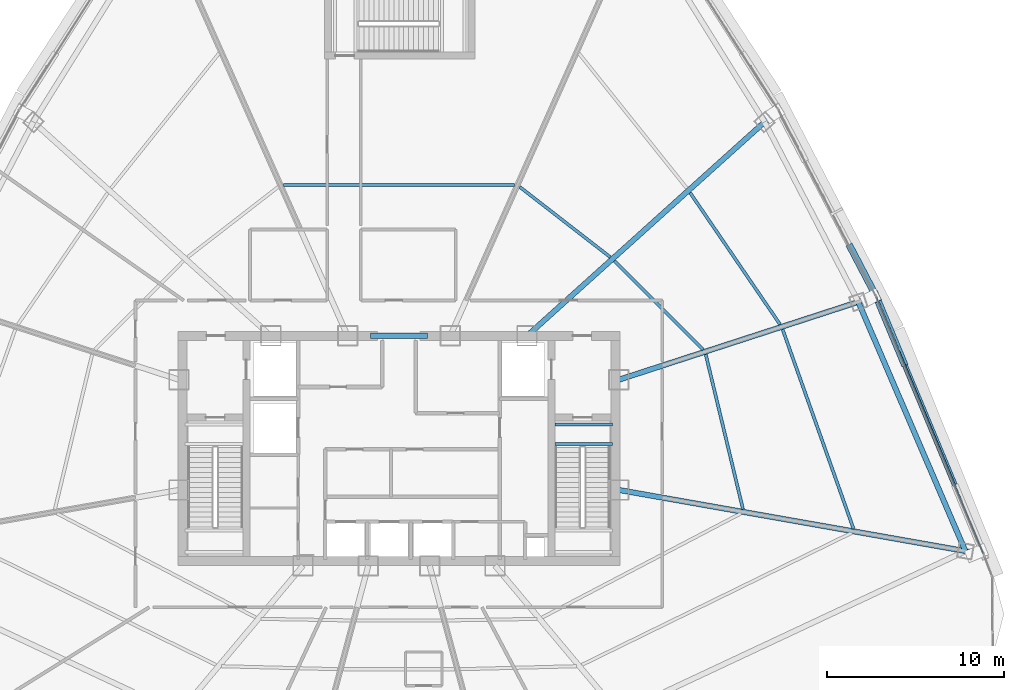
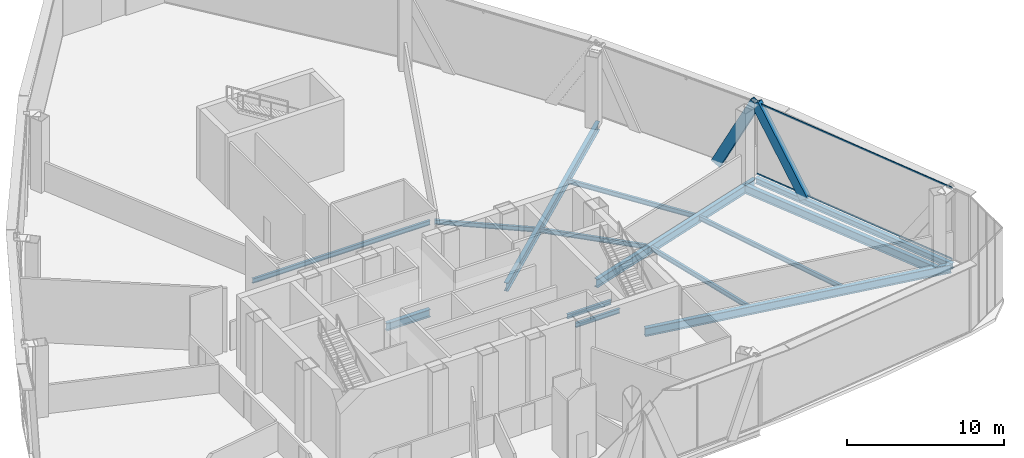
# One storey, part 15 of 38: 14 beams, 4 members, 1 element without a shape of its own.
"""IFC4 building model written with IfcOpenShell, lengths in metres."""

from ifc_helpers import new_model, si_unit, direction, frame, origin, origin_2d, place, context, subcontext, project, spatial, hollow_rectangle, i_section, extrude, source, transform, mapped, material, layer, layer_set, material_profile, profile_set, type_object, element, aggregate, save


model = new_model("IFC4")

# Units and contexts
model_context = context("Model", 3, precision=1e-05, world=origin(), true_north=direction((0.0, 1.0)))
body_context = subcontext(model_context, "Body", "Model", "MODEL_VIEW")
ifc_project = project(units=[si_unit("LENGTHUNIT", "METRE"), si_unit("AREAUNIT", "SQUARE_METRE"), si_unit("VOLUMEUNIT", "CUBIC_METRE"), si_unit("PLANEANGLEUNIT", "RADIAN"), si_unit("MASSUNIT", "GRAM", prefix="KILO"), si_unit("THERMODYNAMICTEMPERATUREUNIT", "KELVIN"), si_unit("POWERUNIT", "WATT")], contexts=[model_context])

# Site, building, storey
site_placement = place(None, origin())
site = spatial("IfcSite", under=ifc_project, at=site_placement, CompositionType="ELEMENT")
building_placement = place(site_placement, origin())
building = spatial("IfcBuilding", under=site, at=building_placement, Name="Yunzhuo Pagoda Commons", CompositionType="ELEMENT")
storey_placement = place(building_placement, frame((0.0, 0.0, 266.909912109375)))
storey = spatial("IfcBuildingStorey", under=building, at=storey_placement, Name="L67", CompositionType="ELEMENT", Elevation=266.909912109375)

# Beams
ifc_material_1 = material(Name="Structural steel Q355B", Category="steel")
ifc_material_profile_1 = material_profile(ifc_material_1, i_section(OverallWidth=0.175048828125, OverallDepth=0.35009765625, WebThickness=0.007080078125, FlangeThickness=0.010986328125, at=origin_2d()), Name="Structural steel Q355B")
ifc_profile_set_1 = profile_set([ifc_material_profile_1], Name="Structural steel Q355B")
beam_type_1 = type_object("IfcBeamType", Name="B-JS2 Joist HN 350x175x7x11", PredefinedType="JOIST", material=ifc_profile_set_1)
shared_shape_1 = source(origin(), body_context, "Body", "SweptSolid", [
    extrude(i_section(OverallWidth=0.175048828125, OverallDepth=0.35009765625, WebThickness=0.007080078125, FlangeThickness=0.010986328125, at=origin_2d()), origin(), (0.0, 0.0, 1.0), 3.25),
])
for number, where, z_axis, x_axis, name in (
    (1, (56.800048828125, 34.10009765625, -0.375), (1.0, 0.0, 0.0), (0.0, 1.0, 0.0), "L67 ST2 landing support beam 171A"),
    (2, (56.800048828125, 35.199951171875, -0.375), (1.0, 0.0, 0.0), (0.0, 1.0, 0.0), "L67 ST2 landing support beam 171B"),
):
    element("IfcBeam", number, at=place(storey_placement, frame(where, z_axis=z_axis, x_axis=x_axis)), inside=storey, type_object=beam_type_1, Name=name, PredefinedType="JOIST", context=body_context, shape_type="MappedRepresentation", body=[
        mapped(shared_shape_1, transform((0.0, 0.0, 0.0), scale=1.0)),
    ])
ifc_material_2 = material(Name="Structural steel Q420B", Category="steel")
ifc_material_profile_2 = material_profile(ifc_material_2, i_section(OverallWidth=0.300048828125, OverallDepth=0.587890625, WebThickness=0.011962890625, FlangeThickness=0.02001953125, at=origin_2d()), Name="Structural steel Q420B")
ifc_profile_set_2 = profile_set([ifc_material_profile_2], Name="Structural steel Q420B")
beam_type_2 = type_object("IfcBeamType", Name="B-CPL Beam HM 588x300x12x20", PredefinedType="BEAM", material=ifc_profile_set_2)
shared_shape_2 = source(origin(), body_context, "Body", "SweptSolid", [
    extrude(i_section(OverallWidth=0.300048828125, OverallDepth=0.587890625, WebThickness=0.011962890625, FlangeThickness=0.02001953125, at=origin_2d()), origin(), (0.0, 0.0, 1.0), 3.2001953125),
])
beam_1_placement = place(storey_placement, frame((46.39990234375, 40.199951171875, -0.553955078125), z_axis=(1.0, 0.0, 0.0), x_axis=(0.0, 1.0, 0.0)))
element("IfcBeam", 3, at=beam_1_placement, inside=storey, type_object=beam_type_2, Name="L67 core coupling girder", PredefinedType="BEAM", context=body_context, shape_type="MappedRepresentation", body=[
    mapped(shared_shape_2, transform((0.0, 0.0, 0.0), scale=1.0)),
])
ifc_material_profile_3 = material_profile(ifc_material_1, i_section(OverallWidth=0.300048828125, OverallDepth=0.64990234375, WebThickness=0.012939453125, FlangeThickness=0.02197265625, at=origin_2d()), Name="Structural steel Q355B")
ifc_profile_set_3 = profile_set([ifc_material_profile_3], Name="Structural steel Q355B")
beam_type_3 = type_object("IfcBeamType", Name="B-RG2 Beam HN 650x300x13x22", PredefinedType="BEAM", material=ifc_profile_set_3)
shared_shape_3 = source(origin(), body_context, "Body", "SweptSolid", [
    extrude(i_section(OverallWidth=0.300048828125, OverallDepth=0.64990234375, WebThickness=0.012939453125, FlangeThickness=0.02197265625, at=origin_2d()), origin(), (0.0, 0.0, 1.0), 15.28759765625),
])
beam_2_placement = place(storey_placement, frame((79.93408203125, 28.069091796875, -0.5849609375), z_axis=(-0.394788372839, 0.918772083093, 0.0), x_axis=(-0.918772083093, -0.394788372839, 0.0)))
element("IfcBeam", 4, at=beam_2_placement, inside=storey, type_object=beam_type_3, Name="L67 column-ring beam 5", PredefinedType="BEAM", context=body_context, shape_type="MappedRepresentation", body=[
    mapped(shared_shape_3, transform((0.0, 0.0, 0.0), scale=1.0)),
])
shared_shape_4 = source(origin(), body_context, "Body", "SweptSolid", [
    extrude(i_section(OverallWidth=0.175048828125, OverallDepth=0.35009765625, WebThickness=0.007080078125, FlangeThickness=0.010986328125, at=origin_2d()), origin(), (0.0, 0.0, 1.0), 8.973876953125),
])
beam_3_placement = place(storey_placement, frame((67.395263671875, 30.42822265625, -0.434814453125), z_axis=(-0.233858589105, 0.972270620919, 0.0), x_axis=(-0.972270620919, -0.233858589105, 0.0)))
element("IfcBeam", 5, at=beam_3_placement, inside=storey, type_object=beam_type_1, Name="L67 composite ring joist 1.5", PredefinedType="JOIST", context=body_context, shape_type="MappedRepresentation", body=[
    mapped(shared_shape_4, transform((0.0, 0.0, 0.0), scale=1.0)),
])
shared_shape_5 = source(origin(), body_context, "Body", "SweptSolid", [
    extrude(i_section(OverallWidth=0.175048828125, OverallDepth=0.35009765625, WebThickness=0.007080078125, FlangeThickness=0.010986328125, at=origin_2d()), origin(), (0.0, 0.0, 1.0), 11.929931640625),
])
beam_4_placement = place(storey_placement, frame((73.6298828125, 29.3212890625, -0.434814453125), z_axis=(-0.335086374925, 0.942187413066, 0.0), x_axis=(-0.942187413066, -0.335086374925, 0.0)))
element("IfcBeam", 6, at=beam_4_placement, inside=storey, type_object=beam_type_1, Name="L67 composite ring joist 2.5", PredefinedType="JOIST", context=body_context, shape_type="MappedRepresentation", body=[
    mapped(shared_shape_5, transform((0.0, 0.0, 0.0), scale=1.0)),
])
shared_shape_6 = source(origin(), body_context, "Body", "SweptSolid", [
    extrude(i_section(OverallWidth=0.175048828125, OverallDepth=0.35009765625, WebThickness=0.007080078125, FlangeThickness=0.010986328125, at=origin_2d()), origin(), (0.0, 0.0, 1.0), 7.0732421875),
])
beam_5_placement = place(storey_placement, frame((65.147216796875, 39.42041015625, -0.434814453125), z_axis=(-0.706139657206, 0.708072584218, 0.0), x_axis=(-0.708072584218, -0.706139657206, 0.0)))
element("IfcBeam", 7, at=beam_5_placement, inside=storey, type_object=beam_type_1, Name="L67 composite ring joist 1.6", PredefinedType="JOIST", context=body_context, shape_type="MappedRepresentation", body=[
    mapped(shared_shape_6, transform((0.0, 0.0, 0.0), scale=1.0)),
])
shared_shape_7 = source(origin(), body_context, "Body", "SweptSolid", [
    extrude(i_section(OverallWidth=0.175048828125, OverallDepth=0.35009765625, WebThickness=0.007080078125, FlangeThickness=0.010986328125, at=origin_2d()), origin(), (0.0, 0.0, 1.0), 8.99365234375),
])
beam_6_placement = place(storey_placement, frame((69.4892578125, 40.8427734375, -0.434814453125), z_axis=(-0.564098900337, 0.825707230584, 0.0), x_axis=(-0.825707230584, -0.564098900337, 0.0)))
element("IfcBeam", 8, at=beam_6_placement, inside=storey, type_object=beam_type_1, Name="L67 composite ring joist 2.6", PredefinedType="JOIST", context=body_context, shape_type="MappedRepresentation", body=[
    mapped(shared_shape_7, transform((0.0, 0.0, 0.0), scale=1.0)),
])
shared_shape_8 = source(origin(), body_context, "Body", "SweptSolid", [
    extrude(i_section(OverallWidth=0.175048828125, OverallDepth=0.35009765625, WebThickness=0.007080078125, FlangeThickness=0.010986328125, at=origin_2d()), origin(), (0.0, 0.0, 1.0), 6.4677734375),
])
beam_7_placement = place(storey_placement, frame((59.914794921875, 44.638671875, -0.434814453125), z_axis=(-0.790160481991, 0.612900002202, 0.0), x_axis=(-0.612900002202, -0.790160481991, 0.0)))
element("IfcBeam", 9, at=beam_7_placement, inside=storey, type_object=beam_type_1, Name="L67 composite ring joist 1.7", PredefinedType="JOIST", context=body_context, shape_type="MappedRepresentation", body=[
    mapped(shared_shape_8, transform((0.0, 0.0, 0.0), scale=1.0)),
])
shared_shape_9 = source(origin(), body_context, "Body", "SweptSolid", [
    extrude(i_section(OverallWidth=0.175048828125, OverallDepth=0.35009765625, WebThickness=0.007080078125, FlangeThickness=0.010986328125, at=origin_2d()), origin(), (0.0, 0.0, 1.0), 13.0390625),
])
beam_8_placement = place(storey_placement, frame((54.51953125, 48.7001953125, -0.434814453125), z_axis=(-1.0, 0.0, 0.0), x_axis=(0.0, -1.0, 0.0)))
element("IfcBeam", 10, at=beam_8_placement, inside=storey, type_object=beam_type_1, Name="L67 composite ring joist 1.8", PredefinedType="JOIST", context=body_context, shape_type="MappedRepresentation", body=[
    mapped(shared_shape_9, transform((0.0, 0.0, 0.0), scale=1.0)),
])
shared_shape_10 = source(origin(), body_context, "Body", "SweptSolid", [
    extrude(i_section(OverallWidth=0.300048828125, OverallDepth=0.64990234375, WebThickness=0.012939453125, FlangeThickness=0.02197265625, at=origin_2d()), origin(), (0.0, 0.0, 1.0), 20.73046875),
])
beam_9_placement = place(storey_placement, frame((80.8154296875, 27.913818359375, -0.5849609375), z_axis=(-0.984809393914, 0.173638871396, 0.0), x_axis=(-0.173638871396, -0.984809393914, 0.0)))
element("IfcBeam", 11, at=beam_9_placement, inside=storey, type_object=beam_type_3, Name="L67 radial floor girder F2C1", PredefinedType="BEAM", context=body_context, shape_type="MappedRepresentation", body=[
    mapped(shared_shape_10, transform((0.0, 0.0, 0.0), scale=1.0)),
])
shared_shape_11 = source(origin(), body_context, "Body", "SweptSolid", [
    extrude(i_section(OverallWidth=0.300048828125, OverallDepth=0.64990234375, WebThickness=0.012939453125, FlangeThickness=0.02197265625, at=origin_2d()), origin(), (0.0, 0.0, 1.0), 15.08837890625),
])
beam_10_placement = place(storey_placement, frame((74.749755859375, 42.3916015625, -0.5849609375), z_axis=(-0.951055588919, -0.309019848532, 0.0), x_axis=(0.309019848532, -0.951055588919, 0.0)))
element("IfcBeam", 12, at=beam_10_placement, inside=storey, type_object=beam_type_3, Name="L67 radial floor girder F2C2", PredefinedType="BEAM", context=body_context, shape_type="MappedRepresentation", body=[
    mapped(shared_shape_11, transform((0.0, 0.0, 0.0), scale=1.0)),
])
shared_shape_12 = source(origin(), body_context, "Body", "SweptSolid", [
    extrude(i_section(OverallWidth=0.300048828125, OverallDepth=0.64990234375, WebThickness=0.012939453125, FlangeThickness=0.02197265625, at=origin_2d()), origin(), (0.0, 0.0, 1.0), 18.9169921875),
])
beam_11_placement = place(storey_placement, frame((69.277099609375, 52.85791015625, -0.5849609375), z_axis=(-0.743145246976, -0.669130138237, 0.0), x_axis=(0.669130138237, -0.743145246976, 0.0)))
element("IfcBeam", 13, at=beam_11_placement, inside=storey, type_object=beam_type_3, Name="L67 radial floor girder F2C3", PredefinedType="BEAM", context=body_context, shape_type="MappedRepresentation", body=[
    mapped(shared_shape_12, transform((0.0, 0.0, 0.0), scale=1.0)),
])
ifc_material_profile_4 = material_profile(ifc_material_1, i_section(OverallWidth=0.300048828125, OverallDepth=0.43994140625, WebThickness=0.010986328125, FlangeThickness=0.01806640625, at=origin_2d()), Name="Structural steel Q355B")
ifc_profile_set_4 = profile_set([ifc_material_profile_4], Name="Structural steel Q355B")
beam_type_4 = type_object("IfcBeamType", Name="B-SP2 Beam HM 440x300x11x18", PredefinedType="BEAM", material=ifc_profile_set_4)
shared_shape_13 = source(origin(), body_context, "Body", "SweptSolid", [
    extrude(i_section(OverallWidth=0.300048828125, OverallDepth=0.43994140625, WebThickness=0.010986328125, FlangeThickness=0.01806640625, at=origin_2d()), origin(), (0.0, 0.0, 1.0), 15.768310546875),
])
beam_12_placement = place(storey_placement, frame((80.968017578125, 27.88671875, -0.47998046875), z_axis=(-0.385002336269, 0.922915598019, 0.0), x_axis=(-0.922915598019, -0.385002336269, 0.0)))
element("IfcBeam", 14, at=beam_12_placement, inside=storey, type_object=beam_type_4, Name="L67 facade edge spandrel beam F2.1", PredefinedType="BEAM", context=body_context, shape_type="MappedRepresentation", body=[
    mapped(shared_shape_13, transform((0.0, 0.0, 0.0), scale=1.0)),
])

# Members
ifc_material_profile_5 = material_profile(ifc_material_1, hollow_rectangle(XDim=0.3798828125, YDim=0.719970703125, WallThickness=0.02001953125, at=origin_2d()), Name="Structural steel Q355B")
ifc_profile_set_5 = profile_set([ifc_material_profile_5], Name="Structural steel Q355B")
member_type_1 = type_object("IfcMemberType", Name="M-DL3 Brace BOX 720x380x20", PredefinedType="BRACE", material=ifc_profile_set_5)
shared_shape_14 = source(origin(), body_context, "Body", "SweptSolid", [
    extrude(hollow_rectangle(XDim=0.3798828125, YDim=0.719970703125, WallThickness=0.02001953125, at=origin_2d()), origin(), (0.0, 0.0, 1.0), 7.037841796875),
])
member_1_placement = place(storey_placement, frame((76.414794921875, 38.801513671875, -0.260009765625), z_axis=(-0.21563316562, 0.516915991135, 0.828432372613), x_axis=(-0.922917421146, -0.384997965898, 0.0)))
element("IfcMember", 15, at=member_1_placement, inside=storey, type_object=member_type_1, Name="L67 facade diamond brace F2.1R", PredefinedType="BRACE", context=body_context, shape_type="MappedRepresentation", body=[
    mapped(shared_shape_14, transform((0.0, 0.0, 0.0), scale=1.0)),
])
shared_shape_15 = source(origin(), body_context, "Body", "SweptSolid", [
    extrude(hollow_rectangle(XDim=0.3798828125, YDim=0.719970703125, WallThickness=0.02001953125, at=origin_2d()), origin(), (0.0, 0.0, 1.0), 6.542724609375),
])
member_2_placement = place(storey_placement, frame((73.52099609375, 45.070068359375, -0.260009765625), z_axis=(0.210344818524, -0.402069437573, 0.891120207766), x_axis=(0.886069633298, 0.463552159898, 0.0)))
element("IfcMember", 16, at=member_2_placement, inside=storey, type_object=member_type_1, Name="L67 facade diamond brace F2.2L", PredefinedType="BRACE", context=body_context, shape_type="MappedRepresentation", body=[
    mapped(shared_shape_15, transform((0.0, 0.0, 0.0), scale=1.0)),
])

# Curtain wall, members
ifc_material_3 = material(Name="Anodized aluminium 6063-T6", Category="aluminium")
ifc_layer = layer(ifc_material_3, 0.139892578125)
ifc_layer_set = layer_set([ifc_layer], Name="Anodized aluminium 6063-T6")
curtain_wall_type = type_object("IfcCurtainWallType", Name="CW-HI High-Zone Ribbon Curtain Wall", PredefinedType="NOTDEFINED", material=ifc_layer_set)
curtain_wall_placement = place(storey_placement, origin())
curtain_wall = element("IfcCurtainWall", 17, at=curtain_wall_placement, inside=storey, type_object=curtain_wall_type, Name="L67 curtain wall CW-L67-F2B2", PredefinedType="NOTDEFINED")
ifc_material_profile_6 = material_profile(ifc_material_3, hollow_rectangle(XDim=0.054931640625, YDim=0.1201171875, WallThickness=0.00341796875, at=origin_2d()), Name="Anodized aluminium 6063-T6")
ifc_profile_set_6 = profile_set([ifc_material_profile_6], Name="Anodized aluminium 6063-T6")
member_type_2 = type_object("IfcMemberType", Name="CW-HI-T Transom RHS 120x55x3.5", PredefinedType="USERDEFINED", material=ifc_profile_set_6)
shared_shape_16 = source(origin(), body_context, "Body", "SweptSolid", [
    extrude(hollow_rectangle(XDim=0.054931640625, YDim=0.1201171875, WallThickness=0.00341796875, at=origin_2d()), origin(), (0.0, 0.0, 1.0), 15.648193359375),
])
member_3_placement = place(storey_placement, frame((80.945068359375, 27.942138671875, 0.027587890625), z_axis=(-0.385020809242, 0.92290789164, 0.0), x_axis=(-0.92290789164, -0.385020809242, 0.0)))
member_3 = element("IfcMember", 18, at=member_3_placement, type_object=member_type_2, Name="CW transom 1.1", ObjectType="TRANSOM", PredefinedType="USERDEFINED", context=body_context, shape_type="MappedRepresentation", body=[
    mapped(shared_shape_16, transform((0.0, 0.0, 0.0), scale=1.0)),
])
member_4_placement = place(storey_placement, frame((80.945068359375, 27.942138671875, 5.54248046875), z_axis=(-0.385020809242, 0.92290789164, 0.0), x_axis=(-0.92290789164, -0.385020809242, 0.0)))
member_4 = element("IfcMember", 19, at=member_4_placement, type_object=member_type_2, Name="CW transom 1.2", ObjectType="TRANSOM", PredefinedType="USERDEFINED", context=body_context, shape_type="MappedRepresentation", body=[
    mapped(shared_shape_16, transform((0.0, 0.0, 0.0), scale=1.0)),
])
aggregate(curtain_wall, [member_3, member_4])

save(model, "model.ifc")
